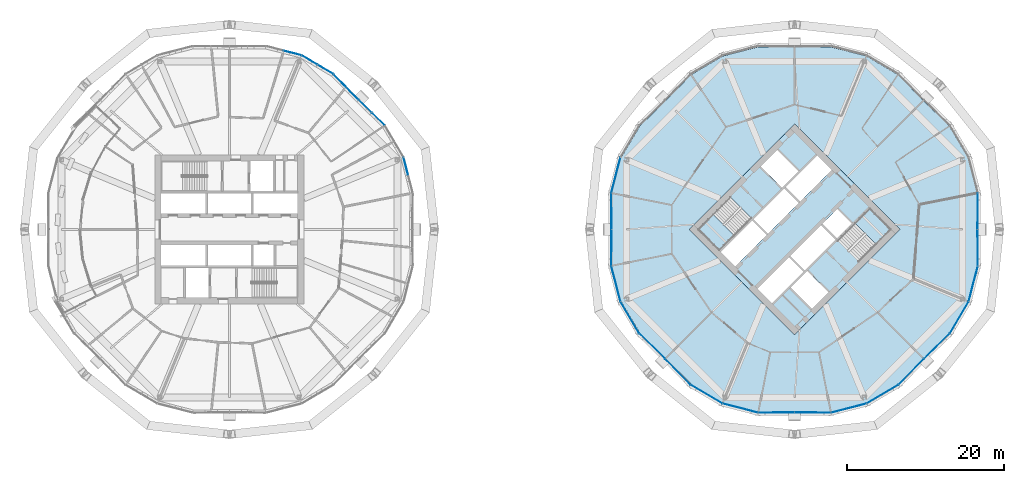
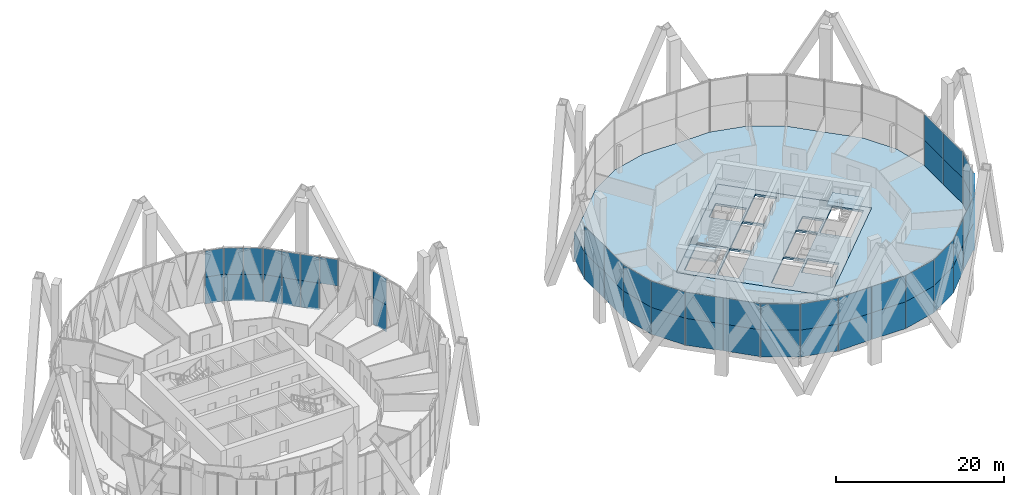
# One storey, part 19 of 30: 52 plates, 4 slabs, 10 elements without a shape of their own.
"""IFC4 building model written with IfcOpenShell, lengths in metres."""

from ifc_helpers import new_model, si_unit, direction, frame, origin, origin_2d, place, context, subcontext, project, spatial, polyline, rectangle, outline, extrude, material, layer, layer_set, type_object, element, aggregate, save


model = new_model("IFC4")

# Units and contexts
model_context = context("Model", 3, precision=1e-05, world=origin(), true_north=direction((0.0, 1.0)))
body_context = subcontext(model_context, "Body", "Model", "MODEL_VIEW")
ifc_project = project(units=[si_unit("LENGTHUNIT", "METRE"), si_unit("AREAUNIT", "SQUARE_METRE"), si_unit("VOLUMEUNIT", "CUBIC_METRE"), si_unit("PLANEANGLEUNIT", "RADIAN"), si_unit("MASSUNIT", "GRAM", prefix="KILO")], contexts=[model_context])

# Site, building, storey
site_placement = place(None, origin())
site = spatial("IfcSite", under=ifc_project, at=site_placement, CompositionType="ELEMENT")
building_placement = place(site_placement, origin())
building = spatial("IfcBuilding", under=site, at=building_placement, Name="Ogive Gate Towers", CompositionType="ELEMENT")
storey_placement = place(building_placement, frame((0.0, 0.0, 99.60009765625)))
storey = spatial("IfcBuildingStorey", under=building, at=storey_placement, Name="L23", CompositionType="ELEMENT", Elevation=99.60009765625)

# Slabs
ifc_material_1 = material(Name="Concrete C40/50", Category="concrete")
ifc_layer_1 = layer(ifc_material_1, 0.300048828125)
ifc_layer_set_1 = layer_set([ifc_layer_1], Name="Core slab C40/50 300 mm")
slab_type_1 = type_object("IfcSlabType", Name="Core slab C40/50 300 mm", PredefinedType="FLOOR", material=ifc_layer_set_1)
slab_1_placement = place(storey_placement, frame((0.0, 0.0, -0.300048828125)))
element("IfcSlab", 1, at=slab_1_placement, inside=storey, type_object=slab_type_1, Name="T2 L23 core slab", PredefinedType="FLOOR", context=body_context, shape_type="SweptSolid", body=[
    extrude(outline(polyline([(36.0, 13.43505859375), (49.43505859375, 0.0), (36.0, -13.43505859375), (22.56494140625, 0.0), (36.0, 13.43505859375)]), holes=[polyline([(30.590576171875, 1.13134765625), (26.577880859375, -2.881591796875), (28.43408203125, -4.737548828125), (32.44677734375, -0.724853515625), (30.590576171875, 1.13134765625)]), polyline([(36.548095703125, 3.37646484375), (34.69189453125, 5.232666015625), (30.767333984375, 1.30810546875), (32.62353515625, -0.548095703125), (36.548095703125, 3.37646484375)]), polyline([(36.724853515625, 3.55322265625), (40.737548828125, 7.56591796875), (38.881591796875, 9.422119140625), (34.86865234375, 5.409423828125), (36.724853515625, 3.55322265625)]), polyline([(31.262451171875, -7.56591796875), (33.118408203125, -9.422119140625), (37.13134765625, -5.409423828125), (35.275146484375, -3.55322265625), (31.262451171875, -7.56591796875)]), polyline([(39.37646484375, 0.548095703125), (35.451904296875, -3.37646484375), (37.30810546875, -5.232666015625), (41.232666015625, -1.30810546875), (39.37646484375, 0.548095703125)]), polyline([(43.283203125, 0.742431640625), (41.427001953125, 2.5986328125), (39.55322265625, 0.724853515625), (41.409423828125, -1.13134765625), (43.283203125, 0.742431640625)]), polyline([(34.408935546875, 5.30322265625), (36.4951171875, 7.389404296875), (33.790283203125, 10.093994140625), (31.704345703125, 8.008056640625), (34.408935546875, 5.30322265625)]), polyline([(35.5048828125, -7.389404296875), (38.209716796875, -10.093994140625), (40.295654296875, -8.008056640625), (37.591064453125, -5.30322265625), (35.5048828125, -7.389404296875)]), polyline([(26.40087890625, -2.70458984375), (30.512939453125, 1.406982421875), (27.80810546875, 4.11181640625), (23.6962890625, 0.0), (26.40087890625, -2.70458984375)]), polyline([(48.3037109375, 0.0), (45.59912109375, 2.70458984375), (41.487060546875, -1.406982421875), (44.19189453125, -4.11181640625), (48.3037109375, 0.0)])]), origin(), (0.0, 0.0, 1.0), 0.300048828125),
])
ifc_material_2 = material(Name="Concrete C35/45", Category="concrete")
ifc_layer_2 = layer(ifc_material_2, 0.300048828125)
ifc_layer_set_2 = layer_set([ifc_layer_2], Name="Floor slab 300")
slab_type_2 = type_object("IfcSlabType", Name="Floor slab 300", PredefinedType="FLOOR", material=ifc_layer_set_2)
slab_2_placement = place(storey_placement, frame((0.0, 0.0, -0.300048828125)))
element("IfcSlab", 2, at=slab_2_placement, inside=storey, type_object=slab_type_2, Name="T2/L23/SSL001", PredefinedType="FLOOR", context=body_context, shape_type="SweptSolid", body=[
    extrude(outline(polyline([(59.25439453125, -4.62548828125), (59.2099609375, 0.0), (59.25439453125, 4.62548828125), (58.08984375, 9.14990234375), (55.714111328125, 13.172607421875), (52.411865234375, 16.411865234375), (49.172607421875, 19.714111328125), (45.14990234375, 22.08984375), (40.62548828125, 23.25439453125), (36.0, 23.2099609375), (31.37451171875, 23.25439453125), (26.85009765625, 22.08984375), (22.827392578125, 19.714111328125), (19.588134765625, 16.411865234375), (16.285888671875, 13.172607421875), (13.91015625, 9.14990234375), (12.74560546875, 4.62548828125), (12.7900390625, 0.0), (12.74560546875, -4.62548828125), (13.91015625, -9.14990234375), (16.285888671875, -13.172607421875), (19.588134765625, -16.411865234375), (22.827392578125, -19.714111328125), (26.85009765625, -22.08984375), (31.37451171875, -23.25439453125), (36.0, -23.2099609375), (40.62548828125, -23.25439453125), (45.14990234375, -22.08984375), (49.172607421875, -19.714111328125), (52.411865234375, -16.411865234375), (55.714111328125, -13.172607421875), (58.08984375, -9.14990234375), (59.25439453125, -4.62548828125)]), holes=[polyline([(49.43505859375, 0.0), (36.0, -13.43505859375), (22.56494140625, 0.0), (36.0, 13.43505859375), (49.43505859375, 0.0)])]), origin(), (0.0, 0.0, 1.0), 0.300048828125),
])

# Stair, slab
stair_type = type_object("IfcStairType", Name="Escape stair 1840 wide", PredefinedType="HALF_TURN_STAIR", material=ifc_material_1)
stair_1_placement = place(storey_placement, origin())
stair_1 = element("IfcStair", 3, at=stair_1_placement, inside=storey, type_object=stair_type, Name="L23 Escape stair 1", PredefinedType="HALF_TURN_STAIR")
ifc_layer_3 = layer(ifc_material_1, 0.199951171875)
ifc_layer_set_3 = layer_set([ifc_layer_3], Name="Stair landing 200 mm")
slab_type_3 = type_object("IfcSlabType", Name="Stair landing 200 mm", PredefinedType="LANDING", material=ifc_layer_set_3)
slab_3_placement = place(storey_placement, frame((0.0, 0.0, 1.75)))
slab_3 = element("IfcSlab", 4, at=slab_3_placement, type_object=slab_type_3, Name="ST1 landing 1", PredefinedType="LANDING", context=body_context, shape_type="SweptSolid", body=[
    extrude(outline(polyline([(25.6044921875, 1.908203125), (23.6962890625, 0.0), (26.401123046875, -2.70458984375), (28.309326171875, -0.79638671875), (25.6044921875, 1.908203125)])), origin(), (0.0, 0.0, 1.0), 0.199951171875),
])
aggregate(stair_1, [slab_3])

stair_2_placement = place(storey_placement, origin())
stair_2 = element("IfcStair", 5, at=stair_2_placement, inside=storey, type_object=stair_type, Name="L23 Escape stair 2", PredefinedType="HALF_TURN_STAIR")
slab_4_placement = place(storey_placement, frame((0.0, 0.0, 1.75)))
slab_4 = element("IfcSlab", 6, at=slab_4_placement, type_object=slab_type_3, Name="ST2 landing 1", PredefinedType="LANDING", context=body_context, shape_type="SweptSolid", body=[
    extrude(outline(polyline([(46.3955078125, -1.908203125), (48.3037109375, 0.0), (45.598876953125, 2.70458984375), (43.690673828125, 0.79638671875), (46.3955078125, -1.908203125)])), origin(), (0.0, 0.0, 1.0), 0.199951171875),
])
aggregate(stair_2, [slab_4])

# Curtain wall, plates
ifc_material_3 = material(Name="Pale metal aluminium", Category="aluminium")
curtain_wall_type = type_object("IfcCurtainWallType", Name="Tower unitised wall, low zone", PredefinedType="NOTDEFINED", material=ifc_material_3)
curtain_wall_1_placement = place(storey_placement, origin())
curtain_wall_1 = element("IfcCurtainWall", 7, at=curtain_wall_1_placement, inside=storey, type_object=curtain_wall_type, Name="CW1 T1 ECW03", PredefinedType="NOTDEFINED")
ifc_material_4 = material(Name="Clear glass", Category="glass")
ifc_layer_4 = layer(ifc_material_4, 0.028076171875)
ifc_layer_set_4 = layer_set([ifc_layer_4], Name="Tower unitised wall, low zone glass panel")
plate_type = type_object("IfcPlateType", Name="Tower unitised wall, low zone glass panel", PredefinedType="CURTAIN_PANEL", material=ifc_layer_set_4)
plate_1_placement = place(storey_placement, frame((-18.689697265625, 15.670654296875, -0.300048828125), z_axis=(0.0, 0.0, 1.0), x_axis=(0.713849613797, -0.700299028189, 0.0)))
plate_1 = element("IfcPlate", 8, at=plate_1_placement, type_object=plate_type, Name="CW1 glass panel", PredefinedType="CURTAIN_PANEL", context=body_context, shape_type="SweptSolid", body=[
    extrude(rectangle(XDim=2.264892578125, YDim=0.028076171875, at=origin_2d()), origin(), (0.0, 0.0, 1.0), 3.89990234375),
])
plate_2_placement = place(storey_placement, frame((-18.689697265625, 15.670654296875, 3.60009765625), z_axis=(0.0, 0.0, 1.0), x_axis=(0.713849613797, -0.700299028189, 0.0)))
plate_2 = element("IfcPlate", 9, at=plate_2_placement, type_object=plate_type, Name="CW1 glass panel", PredefinedType="CURTAIN_PANEL", context=body_context, shape_type="SweptSolid", body=[
    extrude(rectangle(XDim=2.264892578125, YDim=0.028076171875, at=origin_2d()), origin(), (0.0, 0.0, 1.0), 3.803955078125),
])
plate_3_placement = place(storey_placement, frame((-17.035400390625, 14.048095703125, 3.60009765625), z_axis=(0.0, 0.0, 1.0), x_axis=(0.713861836212, -0.700286569056, 0.0)))
plate_3 = element("IfcPlate", 10, at=plate_3_placement, type_object=plate_type, Name="CW1 glass panel", PredefinedType="CURTAIN_PANEL", context=body_context, shape_type="SweptSolid", body=[
    extrude(rectangle(XDim=2.26123046875, YDim=0.028076171875, at=origin_2d()), origin(), (0.0, 0.0, 1.0), 3.803955078125),
])
plate_4_placement = place(storey_placement, frame((-13.5234375, 8.049072265625, -0.300048828125), z_axis=(0.0, 0.0, 1.0), x_axis=(0.249247709738, -0.968439765391, 0.0)))
plate_4 = element("IfcPlate", 11, at=plate_4_placement, type_object=plate_type, Name="CW1 glass panel", PredefinedType="CURTAIN_PANEL", context=body_context, shape_type="SweptSolid", body=[
    extrude(rectangle(XDim=2.29150390625, YDim=0.028076171875, at=origin_2d()), origin(), (0.0, 0.0, 1.0), 3.89990234375),
])
plate_5_placement = place(storey_placement, frame((-13.5234375, 8.049072265625, 3.60009765625), z_axis=(0.0, 0.0, 1.0), x_axis=(0.249247709738, -0.968439765391, 0.0)))
plate_5 = element("IfcPlate", 12, at=plate_5_placement, type_object=plate_type, Name="CW1 glass panel", PredefinedType="CURTAIN_PANEL", context=body_context, shape_type="SweptSolid", body=[
    extrude(rectangle(XDim=2.29150390625, YDim=0.028076171875, at=origin_2d()), origin(), (0.0, 0.0, 1.0), 3.803955078125),
])
aggregate(curtain_wall_1, [plate_1, plate_2, plate_3, plate_4, plate_5])

curtain_wall_2_placement = place(storey_placement, origin())
curtain_wall_2 = element("IfcCurtainWall", 13, at=curtain_wall_2_placement, inside=storey, type_object=curtain_wall_type, Name="CW1 T1 ECW04", PredefinedType="NOTDEFINED")
plate_6_placement = place(storey_placement, frame((-27.950927734375, 22.4765625, -0.300048828125), z_axis=(0.0, 0.0, 1.0), x_axis=(0.968439765391, -0.249247709738, 0.0)))
plate_6 = element("IfcPlate", 14, at=plate_6_placement, type_object=plate_type, Name="CW1 glass panel", PredefinedType="CURTAIN_PANEL", context=body_context, shape_type="SweptSolid", body=[
    extrude(rectangle(XDim=2.29150390625, YDim=0.028076171875, at=origin_2d()), origin(), (0.0, 0.0, 1.0), 3.89990234375),
])
plate_7_placement = place(storey_placement, frame((-27.950927734375, 22.4765625, 3.60009765625), z_axis=(0.0, 0.0, 1.0), x_axis=(0.968439765391, -0.249247709738, 0.0)))
plate_7 = element("IfcPlate", 15, at=plate_7_placement, type_object=plate_type, Name="CW1 glass panel", PredefinedType="CURTAIN_PANEL", context=body_context, shape_type="SweptSolid", body=[
    extrude(rectangle(XDim=2.29150390625, YDim=0.028076171875, at=origin_2d()), origin(), (0.0, 0.0, 1.0), 3.803955078125),
])
plate_8_placement = place(storey_placement, frame((-25.798095703125, 21.584716796875, -0.300048828125), z_axis=(0.0, 0.0, 1.0), x_axis=(0.86103507103, -0.508545579527, 0.0)))
plate_8 = element("IfcPlate", 16, at=plate_8_placement, type_object=plate_type, Name="CW1 glass panel", PredefinedType="CURTAIN_PANEL", context=body_context, shape_type="SweptSolid", body=[
    extrude(rectangle(XDim=2.29150390625, YDim=0.028076171875, at=origin_2d()), origin(), (0.0, 0.0, 1.0), 3.89990234375),
])
plate_9_placement = place(storey_placement, frame((-25.798095703125, 21.584716796875, 3.60009765625), z_axis=(0.0, 0.0, 1.0), x_axis=(0.86103507103, -0.508545579527, 0.0)))
plate_9 = element("IfcPlate", 17, at=plate_9_placement, type_object=plate_type, Name="CW1 glass panel", PredefinedType="CURTAIN_PANEL", context=body_context, shape_type="SweptSolid", body=[
    extrude(rectangle(XDim=2.29150390625, YDim=0.028076171875, at=origin_2d()), origin(), (0.0, 0.0, 1.0), 3.803955078125),
])
plate_10_placement = place(storey_placement, frame((-23.778564453125, 20.39208984375, -0.300048828125), z_axis=(0.0, 0.0, 1.0), x_axis=(0.861043946693, -0.508530551553, 0.0)))
plate_10 = element("IfcPlate", 18, at=plate_10_placement, type_object=plate_type, Name="CW1 glass panel", PredefinedType="CURTAIN_PANEL", context=body_context, shape_type="SweptSolid", body=[
    extrude(rectangle(XDim=2.29150390625, YDim=0.028076171875, at=origin_2d()), origin(), (0.0, 0.0, 1.0), 3.89990234375),
])
plate_11_placement = place(storey_placement, frame((-23.778564453125, 20.39208984375, 3.60009765625), z_axis=(0.0, 0.0, 1.0), x_axis=(0.861043946693, -0.508530551553, 0.0)))
plate_11 = element("IfcPlate", 19, at=plate_11_placement, type_object=plate_type, Name="CW1 glass panel", PredefinedType="CURTAIN_PANEL", context=body_context, shape_type="SweptSolid", body=[
    extrude(rectangle(XDim=2.29150390625, YDim=0.028076171875, at=origin_2d()), origin(), (0.0, 0.0, 1.0), 3.803955078125),
])
plate_12_placement = place(storey_placement, frame((-21.951904296875, 18.964599609375, -0.300048828125), z_axis=(0.0, 0.0, 1.0), x_axis=(0.700286569056, -0.713861836212, 0.0)))
plate_12 = element("IfcPlate", 20, at=plate_12_placement, type_object=plate_type, Name="CW1 glass panel", PredefinedType="CURTAIN_PANEL", context=body_context, shape_type="SweptSolid", body=[
    extrude(rectangle(XDim=2.26123046875, YDim=0.028076171875, at=origin_2d()), origin(), (0.0, 0.0, 1.0), 3.89990234375),
])
plate_13_placement = place(storey_placement, frame((-21.951904296875, 18.964599609375, 3.60009765625), z_axis=(0.0, 0.0, 1.0), x_axis=(0.700286569056, -0.713861836212, 0.0)))
plate_13 = element("IfcPlate", 21, at=plate_13_placement, type_object=plate_type, Name="CW1 glass panel", PredefinedType="CURTAIN_PANEL", context=body_context, shape_type="SweptSolid", body=[
    extrude(rectangle(XDim=2.26123046875, YDim=0.028076171875, at=origin_2d()), origin(), (0.0, 0.0, 1.0), 3.803955078125),
])
plate_14_placement = place(storey_placement, frame((-20.329345703125, 17.310302734375, -0.300048828125), z_axis=(0.0, 0.0, 1.0), x_axis=(0.700299028189, -0.713849613797, 0.0)))
plate_14 = element("IfcPlate", 22, at=plate_14_placement, type_object=plate_type, Name="CW1 glass panel", PredefinedType="CURTAIN_PANEL", context=body_context, shape_type="SweptSolid", body=[
    extrude(rectangle(XDim=2.264892578125, YDim=0.028076171875, at=origin_2d()), origin(), (0.0, 0.0, 1.0), 3.89990234375),
])
plate_15_placement = place(storey_placement, frame((-20.329345703125, 17.310302734375, 3.60009765625), z_axis=(0.0, 0.0, 1.0), x_axis=(0.700299028189, -0.713849613797, 0.0)))
plate_15 = element("IfcPlate", 23, at=plate_15_placement, type_object=plate_type, Name="CW1 glass panel", PredefinedType="CURTAIN_PANEL", context=body_context, shape_type="SweptSolid", body=[
    extrude(rectangle(XDim=2.264892578125, YDim=0.028076171875, at=origin_2d()), origin(), (0.0, 0.0, 1.0), 3.803955078125),
])
aggregate(curtain_wall_2, [plate_6, plate_7, plate_8, plate_9, plate_10, plate_11, plate_12, plate_13, plate_14, plate_15])

curtain_wall_3_placement = place(storey_placement, origin())
curtain_wall_3 = element("IfcCurtainWall", 24, at=curtain_wall_3_placement, inside=storey, type_object=curtain_wall_type, Name="CW1 T2 ECW01", PredefinedType="NOTDEFINED")
plate_16_placement = place(storey_placement, frame((59.332275390625, 2.31689453125, -0.300048828125), z_axis=(0.0, 0.0, 1.0), x_axis=(0.009599163462, 0.999953926969, 0.0)))
plate_16 = element("IfcPlate", 25, at=plate_16_placement, type_object=plate_type, Name="CW1 glass panel", PredefinedType="CURTAIN_PANEL", context=body_context, shape_type="SweptSolid", body=[
    extrude(rectangle(XDim=4.580078125, YDim=0.028076171875, at=origin_2d()), origin(), (0.0, 0.0, 1.0), 3.89990234375),
])
plate_17_placement = place(storey_placement, frame((59.332275390625, 2.31689453125, 3.60009765625), z_axis=(0.0, 0.0, 1.0), x_axis=(0.009599163462, 0.999953926969, 0.0)))
plate_17 = element("IfcPlate", 26, at=plate_17_placement, type_object=plate_type, Name="CW1 glass panel", PredefinedType="CURTAIN_PANEL", context=body_context, shape_type="SweptSolid", body=[
    extrude(rectangle(XDim=4.580078125, YDim=0.028076171875, at=origin_2d()), origin(), (0.0, 0.0, 1.0), 3.803955078125),
])
aggregate(curtain_wall_3, [plate_16, plate_17])

curtain_wall_4_placement = place(storey_placement, origin())
curtain_wall_4 = element("IfcCurtainWall", 27, at=curtain_wall_4_placement, inside=storey, type_object=curtain_wall_type, Name="CW1 T2 ECW04", PredefinedType="NOTDEFINED")
plate_18_placement = place(storey_placement, frame((13.231201171875, 6.9130859375, -0.300048828125), z_axis=(0.0, 0.0, 1.0), x_axis=(-0.249247709738, -0.968439765391, 0.0)))
plate_18 = element("IfcPlate", 28, at=plate_18_placement, type_object=plate_type, Name="CW1 glass panel", PredefinedType="CURTAIN_PANEL", context=body_context, shape_type="SweptSolid", body=[
    extrude(rectangle(XDim=4.63720703125, YDim=0.028076171875, at=origin_2d()), origin(), (0.0, 0.0, 1.0), 3.89990234375),
])
plate_19_placement = place(storey_placement, frame((12.667724609375, 2.31689453125, -0.300048828125), z_axis=(0.0, 0.0, 1.0), x_axis=(0.009599163462, -0.999953926969, 0.0)))
plate_19 = element("IfcPlate", 29, at=plate_19_placement, type_object=plate_type, Name="CW1 glass panel", PredefinedType="CURTAIN_PANEL", context=body_context, shape_type="SweptSolid", body=[
    extrude(rectangle(XDim=4.580078125, YDim=0.028076171875, at=origin_2d()), origin(), (0.0, 0.0, 1.0), 3.89990234375),
])
plate_20_placement = place(storey_placement, frame((12.667724609375, 2.31689453125, 3.60009765625), z_axis=(0.0, 0.0, 1.0), x_axis=(0.009599163462, -0.999953926969, 0.0)))
plate_20 = element("IfcPlate", 30, at=plate_20_placement, type_object=plate_type, Name="CW1 glass panel", PredefinedType="CURTAIN_PANEL", context=body_context, shape_type="SweptSolid", body=[
    extrude(rectangle(XDim=4.580078125, YDim=0.028076171875, at=origin_2d()), origin(), (0.0, 0.0, 1.0), 3.803955078125),
])
aggregate(curtain_wall_4, [plate_18, plate_19, plate_20])

curtain_wall_5_placement = place(storey_placement, origin())
curtain_wall_5 = element("IfcCurtainWall", 31, at=curtain_wall_5_placement, inside=storey, type_object=curtain_wall_type, Name="CW1 T2 ECW05", PredefinedType="NOTDEFINED")
plate_21_placement = place(storey_placement, frame((12.667724609375, -2.31689453125, -0.300048828125), z_axis=(0.0, 0.0, 1.0), x_axis=(-0.009599163462, -0.999953926969, 0.0)))
plate_21 = element("IfcPlate", 32, at=plate_21_placement, type_object=plate_type, Name="CW1 glass panel", PredefinedType="CURTAIN_PANEL", context=body_context, shape_type="SweptSolid", body=[
    extrude(rectangle(XDim=4.580078125, YDim=0.028076171875, at=origin_2d()), origin(), (0.0, 0.0, 1.0), 3.89990234375),
])
plate_22_placement = place(storey_placement, frame((12.667724609375, -2.31689453125, 3.60009765625), z_axis=(0.0, 0.0, 1.0), x_axis=(-0.009599163462, -0.999953926969, 0.0)))
plate_22 = element("IfcPlate", 33, at=plate_22_placement, type_object=plate_type, Name="CW1 glass panel", PredefinedType="CURTAIN_PANEL", context=body_context, shape_type="SweptSolid", body=[
    extrude(rectangle(XDim=4.580078125, YDim=0.028076171875, at=origin_2d()), origin(), (0.0, 0.0, 1.0), 3.803955078125),
])
plate_23_placement = place(storey_placement, frame((13.231201171875, -6.9130859375, -0.300048828125), z_axis=(0.0, 0.0, 1.0), x_axis=(0.249247709738, -0.968439765391, 0.0)))
plate_23 = element("IfcPlate", 34, at=plate_23_placement, type_object=plate_type, Name="CW1 glass panel", PredefinedType="CURTAIN_PANEL", context=body_context, shape_type="SweptSolid", body=[
    extrude(rectangle(XDim=4.63720703125, YDim=0.028076171875, at=origin_2d()), origin(), (0.0, 0.0, 1.0), 3.89990234375),
])
plate_24_placement = place(storey_placement, frame((13.231201171875, -6.9130859375, 3.60009765625), z_axis=(0.0, 0.0, 1.0), x_axis=(0.249247709738, -0.968439765391, 0.0)))
plate_24 = element("IfcPlate", 35, at=plate_24_placement, type_object=plate_type, Name="CW1 glass panel", PredefinedType="CURTAIN_PANEL", context=body_context, shape_type="SweptSolid", body=[
    extrude(rectangle(XDim=4.63720703125, YDim=0.028076171875, at=origin_2d()), origin(), (0.0, 0.0, 1.0), 3.803955078125),
])
plate_25_placement = place(storey_placement, frame((15.01171875, -11.211669921875, -0.300048828125), z_axis=(0.0, 0.0, 1.0), x_axis=(0.508545579527, -0.86103507103, 0.0)))
plate_25 = element("IfcPlate", 36, at=plate_25_placement, type_object=plate_type, Name="CW1 glass panel", PredefinedType="CURTAIN_PANEL", context=body_context, shape_type="SweptSolid", body=[
    extrude(rectangle(XDim=4.63720703125, YDim=0.028076171875, at=origin_2d()), origin(), (0.0, 0.0, 1.0), 3.89990234375),
])
plate_26_placement = place(storey_placement, frame((15.01171875, -11.211669921875, 3.60009765625), z_axis=(0.0, 0.0, 1.0), x_axis=(0.508545579527, -0.86103507103, 0.0)))
plate_26 = element("IfcPlate", 37, at=plate_26_placement, type_object=plate_type, Name="CW1 glass panel", PredefinedType="CURTAIN_PANEL", context=body_context, shape_type="SweptSolid", body=[
    extrude(rectangle(XDim=4.63720703125, YDim=0.028076171875, at=origin_2d()), origin(), (0.0, 0.0, 1.0), 3.803955078125),
])
plate_27_placement = place(storey_placement, frame((17.86328125, -14.860107421875, -0.300048828125), z_axis=(0.0, 0.0, 1.0), x_axis=(0.713849613797, -0.700299028189, 0.0)))
plate_27 = element("IfcPlate", 38, at=plate_27_placement, type_object=plate_type, Name="CW1 glass panel", PredefinedType="CURTAIN_PANEL", context=body_context, shape_type="SweptSolid", body=[
    extrude(rectangle(XDim=4.580078125, YDim=0.028076171875, at=origin_2d()), origin(), (0.0, 0.0, 1.0), 3.89990234375),
])
plate_28_placement = place(storey_placement, frame((17.86328125, -14.860107421875, 3.60009765625), z_axis=(0.0, 0.0, 1.0), x_axis=(0.713849613797, -0.700299028189, 0.0)))
plate_28 = element("IfcPlate", 39, at=plate_28_placement, type_object=plate_type, Name="CW1 glass panel", PredefinedType="CURTAIN_PANEL", context=body_context, shape_type="SweptSolid", body=[
    extrude(rectangle(XDim=4.580078125, YDim=0.028076171875, at=origin_2d()), origin(), (0.0, 0.0, 1.0), 3.803955078125),
])
aggregate(curtain_wall_5, [plate_21, plate_22, plate_23, plate_24, plate_25, plate_26, plate_27, plate_28])

curtain_wall_6_placement = place(storey_placement, origin())
curtain_wall_6 = element("IfcCurtainWall", 40, at=curtain_wall_6_placement, inside=storey, type_object=curtain_wall_type, Name="CW1 T2 ECW06", PredefinedType="NOTDEFINED")
plate_29_placement = place(storey_placement, frame((21.139892578125, -18.13671875, -0.300048828125), z_axis=(0.0, 0.0, 1.0), x_axis=(0.700299028189, -0.713849613797, 0.0)))
plate_29 = element("IfcPlate", 41, at=plate_29_placement, type_object=plate_type, Name="CW1 glass panel", PredefinedType="CURTAIN_PANEL", context=body_context, shape_type="SweptSolid", body=[
    extrude(rectangle(XDim=4.580078125, YDim=0.028076171875, at=origin_2d()), origin(), (0.0, 0.0, 1.0), 3.89990234375),
])
plate_30_placement = place(storey_placement, frame((21.139892578125, -18.13671875, 3.60009765625), z_axis=(0.0, 0.0, 1.0), x_axis=(0.700299028189, -0.713849613797, 0.0)))
plate_30 = element("IfcPlate", 42, at=plate_30_placement, type_object=plate_type, Name="CW1 glass panel", PredefinedType="CURTAIN_PANEL", context=body_context, shape_type="SweptSolid", body=[
    extrude(rectangle(XDim=4.580078125, YDim=0.028076171875, at=origin_2d()), origin(), (0.0, 0.0, 1.0), 3.803955078125),
])
plate_31_placement = place(storey_placement, frame((24.788330078125, -20.98828125, -0.300048828125), z_axis=(0.0, 0.0, 1.0), x_axis=(0.86103507103, -0.508545579527, 0.0)))
plate_31 = element("IfcPlate", 43, at=plate_31_placement, type_object=plate_type, Name="CW1 glass panel", PredefinedType="CURTAIN_PANEL", context=body_context, shape_type="SweptSolid", body=[
    extrude(rectangle(XDim=4.63720703125, YDim=0.028076171875, at=origin_2d()), origin(), (0.0, 0.0, 1.0), 3.89990234375),
])
plate_32_placement = place(storey_placement, frame((24.788330078125, -20.98828125, 3.60009765625), z_axis=(0.0, 0.0, 1.0), x_axis=(0.86103507103, -0.508545579527, 0.0)))
plate_32 = element("IfcPlate", 44, at=plate_32_placement, type_object=plate_type, Name="CW1 glass panel", PredefinedType="CURTAIN_PANEL", context=body_context, shape_type="SweptSolid", body=[
    extrude(rectangle(XDim=4.63720703125, YDim=0.028076171875, at=origin_2d()), origin(), (0.0, 0.0, 1.0), 3.803955078125),
])
plate_33_placement = place(storey_placement, frame((29.0869140625, -22.768798828125, -0.300048828125), z_axis=(0.0, 0.0, 1.0), x_axis=(0.968439765391, -0.249247709738, 0.0)))
plate_33 = element("IfcPlate", 45, at=plate_33_placement, type_object=plate_type, Name="CW1 glass panel", PredefinedType="CURTAIN_PANEL", context=body_context, shape_type="SweptSolid", body=[
    extrude(rectangle(XDim=4.63720703125, YDim=0.028076171875, at=origin_2d()), origin(), (0.0, 0.0, 1.0), 3.89990234375),
])
plate_34_placement = place(storey_placement, frame((29.0869140625, -22.768798828125, 3.60009765625), z_axis=(0.0, 0.0, 1.0), x_axis=(0.968439765391, -0.249247709738, 0.0)))
plate_34 = element("IfcPlate", 46, at=plate_34_placement, type_object=plate_type, Name="CW1 glass panel", PredefinedType="CURTAIN_PANEL", context=body_context, shape_type="SweptSolid", body=[
    extrude(rectangle(XDim=4.63720703125, YDim=0.028076171875, at=origin_2d()), origin(), (0.0, 0.0, 1.0), 3.803955078125),
])
plate_35_placement = place(storey_placement, frame((33.68310546875, -23.332275390625, -0.300048828125), z_axis=(0.0, 0.0, 1.0), x_axis=(0.999953926969, 0.009599163462, 0.0)))
plate_35 = element("IfcPlate", 47, at=plate_35_placement, type_object=plate_type, Name="CW1 glass panel", PredefinedType="CURTAIN_PANEL", context=body_context, shape_type="SweptSolid", body=[
    extrude(rectangle(XDim=4.580078125, YDim=0.028076171875, at=origin_2d()), origin(), (0.0, 0.0, 1.0), 3.89990234375),
])
plate_36_placement = place(storey_placement, frame((33.68310546875, -23.332275390625, 3.60009765625), z_axis=(0.0, 0.0, 1.0), x_axis=(0.999953926969, 0.009599163462, 0.0)))
plate_36 = element("IfcPlate", 48, at=plate_36_placement, type_object=plate_type, Name="CW1 glass panel", PredefinedType="CURTAIN_PANEL", context=body_context, shape_type="SweptSolid", body=[
    extrude(rectangle(XDim=4.580078125, YDim=0.028076171875, at=origin_2d()), origin(), (0.0, 0.0, 1.0), 3.803955078125),
])
aggregate(curtain_wall_6, [plate_29, plate_30, plate_31, plate_32, plate_33, plate_34, plate_35, plate_36])

curtain_wall_7_placement = place(storey_placement, origin())
curtain_wall_7 = element("IfcCurtainWall", 49, at=curtain_wall_7_placement, inside=storey, type_object=curtain_wall_type, Name="CW1 T2 ECW07", PredefinedType="NOTDEFINED")
plate_37_placement = place(storey_placement, frame((38.31689453125, -23.332275390625, -0.300048828125), z_axis=(0.0, 0.0, 1.0), x_axis=(0.999953926969, -0.009599163462, 0.0)))
plate_37 = element("IfcPlate", 50, at=plate_37_placement, type_object=plate_type, Name="CW1 glass panel", PredefinedType="CURTAIN_PANEL", context=body_context, shape_type="SweptSolid", body=[
    extrude(rectangle(XDim=4.580078125, YDim=0.028076171875, at=origin_2d()), origin(), (0.0, 0.0, 1.0), 3.89990234375),
])
plate_38_placement = place(storey_placement, frame((38.31689453125, -23.332275390625, 3.60009765625), z_axis=(0.0, 0.0, 1.0), x_axis=(0.999953926969, -0.009599163462, 0.0)))
plate_38 = element("IfcPlate", 51, at=plate_38_placement, type_object=plate_type, Name="CW1 glass panel", PredefinedType="CURTAIN_PANEL", context=body_context, shape_type="SweptSolid", body=[
    extrude(rectangle(XDim=4.580078125, YDim=0.028076171875, at=origin_2d()), origin(), (0.0, 0.0, 1.0), 3.803955078125),
])
plate_39_placement = place(storey_placement, frame((42.9130859375, -22.768798828125, -0.300048828125), z_axis=(0.0, 0.0, 1.0), x_axis=(0.968439765391, 0.249247709738, 0.0)))
plate_39 = element("IfcPlate", 52, at=plate_39_placement, type_object=plate_type, Name="CW1 glass panel", PredefinedType="CURTAIN_PANEL", context=body_context, shape_type="SweptSolid", body=[
    extrude(rectangle(XDim=4.63720703125, YDim=0.028076171875, at=origin_2d()), origin(), (0.0, 0.0, 1.0), 3.89990234375),
])
plate_40_placement = place(storey_placement, frame((42.9130859375, -22.768798828125, 3.60009765625), z_axis=(0.0, 0.0, 1.0), x_axis=(0.968439765391, 0.249247709738, 0.0)))
plate_40 = element("IfcPlate", 53, at=plate_40_placement, type_object=plate_type, Name="CW1 glass panel", PredefinedType="CURTAIN_PANEL", context=body_context, shape_type="SweptSolid", body=[
    extrude(rectangle(XDim=4.63720703125, YDim=0.028076171875, at=origin_2d()), origin(), (0.0, 0.0, 1.0), 3.803955078125),
])
plate_41_placement = place(storey_placement, frame((47.211669921875, -20.98828125, -0.300048828125), z_axis=(0.0, 0.0, 1.0), x_axis=(0.86103507103, 0.508545579527, 0.0)))
plate_41 = element("IfcPlate", 54, at=plate_41_placement, type_object=plate_type, Name="CW1 glass panel", PredefinedType="CURTAIN_PANEL", context=body_context, shape_type="SweptSolid", body=[
    extrude(rectangle(XDim=4.63720703125, YDim=0.028076171875, at=origin_2d()), origin(), (0.0, 0.0, 1.0), 3.89990234375),
])
plate_42_placement = place(storey_placement, frame((47.211669921875, -20.98828125, 3.60009765625), z_axis=(0.0, 0.0, 1.0), x_axis=(0.86103507103, 0.508545579527, 0.0)))
plate_42 = element("IfcPlate", 55, at=plate_42_placement, type_object=plate_type, Name="CW1 glass panel", PredefinedType="CURTAIN_PANEL", context=body_context, shape_type="SweptSolid", body=[
    extrude(rectangle(XDim=4.63720703125, YDim=0.028076171875, at=origin_2d()), origin(), (0.0, 0.0, 1.0), 3.803955078125),
])
plate_43_placement = place(storey_placement, frame((50.860107421875, -18.13671875, -0.300048828125), z_axis=(0.0, 0.0, 1.0), x_axis=(0.700299028189, 0.713849613797, 0.0)))
plate_43 = element("IfcPlate", 56, at=plate_43_placement, type_object=plate_type, Name="CW1 glass panel", PredefinedType="CURTAIN_PANEL", context=body_context, shape_type="SweptSolid", body=[
    extrude(rectangle(XDim=4.580078125, YDim=0.028076171875, at=origin_2d()), origin(), (0.0, 0.0, 1.0), 3.89990234375),
])
plate_44_placement = place(storey_placement, frame((50.860107421875, -18.13671875, 3.60009765625), z_axis=(0.0, 0.0, 1.0), x_axis=(0.700299028189, 0.713849613797, 0.0)))
plate_44 = element("IfcPlate", 57, at=plate_44_placement, type_object=plate_type, Name="CW1 glass panel", PredefinedType="CURTAIN_PANEL", context=body_context, shape_type="SweptSolid", body=[
    extrude(rectangle(XDim=4.580078125, YDim=0.028076171875, at=origin_2d()), origin(), (0.0, 0.0, 1.0), 3.803955078125),
])
aggregate(curtain_wall_7, [plate_37, plate_38, plate_39, plate_40, plate_41, plate_42, plate_43, plate_44])

curtain_wall_8_placement = place(storey_placement, origin())
curtain_wall_8 = element("IfcCurtainWall", 58, at=curtain_wall_8_placement, inside=storey, type_object=curtain_wall_type, Name="CW1 T2 ECW08", PredefinedType="NOTDEFINED")
plate_45_placement = place(storey_placement, frame((54.13671875, -14.860107421875, -0.300048828125), z_axis=(0.0, 0.0, 1.0), x_axis=(0.713849613797, 0.700299028189, 0.0)))
plate_45 = element("IfcPlate", 59, at=plate_45_placement, type_object=plate_type, Name="CW1 glass panel", PredefinedType="CURTAIN_PANEL", context=body_context, shape_type="SweptSolid", body=[
    extrude(rectangle(XDim=4.580078125, YDim=0.028076171875, at=origin_2d()), origin(), (0.0, 0.0, 1.0), 3.89990234375),
])
plate_46_placement = place(storey_placement, frame((54.13671875, -14.860107421875, 3.60009765625), z_axis=(0.0, 0.0, 1.0), x_axis=(0.713849613797, 0.700299028189, 0.0)))
plate_46 = element("IfcPlate", 60, at=plate_46_placement, type_object=plate_type, Name="CW1 glass panel", PredefinedType="CURTAIN_PANEL", context=body_context, shape_type="SweptSolid", body=[
    extrude(rectangle(XDim=4.580078125, YDim=0.028076171875, at=origin_2d()), origin(), (0.0, 0.0, 1.0), 3.803955078125),
])
plate_47_placement = place(storey_placement, frame((56.98828125, -11.211669921875, -0.300048828125), z_axis=(0.0, 0.0, 1.0), x_axis=(0.508545579527, 0.86103507103, 0.0)))
plate_47 = element("IfcPlate", 61, at=plate_47_placement, type_object=plate_type, Name="CW1 glass panel", PredefinedType="CURTAIN_PANEL", context=body_context, shape_type="SweptSolid", body=[
    extrude(rectangle(XDim=4.63720703125, YDim=0.028076171875, at=origin_2d()), origin(), (0.0, 0.0, 1.0), 3.89990234375),
])
plate_48_placement = place(storey_placement, frame((56.98828125, -11.211669921875, 3.60009765625), z_axis=(0.0, 0.0, 1.0), x_axis=(0.508545579527, 0.86103507103, 0.0)))
plate_48 = element("IfcPlate", 62, at=plate_48_placement, type_object=plate_type, Name="CW1 glass panel", PredefinedType="CURTAIN_PANEL", context=body_context, shape_type="SweptSolid", body=[
    extrude(rectangle(XDim=4.63720703125, YDim=0.028076171875, at=origin_2d()), origin(), (0.0, 0.0, 1.0), 3.803955078125),
])
plate_49_placement = place(storey_placement, frame((58.768798828125, -6.9130859375, -0.300048828125), z_axis=(0.0, 0.0, 1.0), x_axis=(0.249247709738, 0.968439765391, 0.0)))
plate_49 = element("IfcPlate", 63, at=plate_49_placement, type_object=plate_type, Name="CW1 glass panel", PredefinedType="CURTAIN_PANEL", context=body_context, shape_type="SweptSolid", body=[
    extrude(rectangle(XDim=4.63720703125, YDim=0.028076171875, at=origin_2d()), origin(), (0.0, 0.0, 1.0), 3.89990234375),
])
plate_50_placement = place(storey_placement, frame((58.768798828125, -6.9130859375, 3.60009765625), z_axis=(0.0, 0.0, 1.0), x_axis=(0.249247709738, 0.968439765391, 0.0)))
plate_50 = element("IfcPlate", 64, at=plate_50_placement, type_object=plate_type, Name="CW1 glass panel", PredefinedType="CURTAIN_PANEL", context=body_context, shape_type="SweptSolid", body=[
    extrude(rectangle(XDim=4.63720703125, YDim=0.028076171875, at=origin_2d()), origin(), (0.0, 0.0, 1.0), 3.803955078125),
])
plate_51_placement = place(storey_placement, frame((59.332275390625, -2.31689453125, -0.300048828125), z_axis=(0.0, 0.0, 1.0), x_axis=(-0.009599163462, 0.999953926969, 0.0)))
plate_51 = element("IfcPlate", 65, at=plate_51_placement, type_object=plate_type, Name="CW1 glass panel", PredefinedType="CURTAIN_PANEL", context=body_context, shape_type="SweptSolid", body=[
    extrude(rectangle(XDim=4.580078125, YDim=0.028076171875, at=origin_2d()), origin(), (0.0, 0.0, 1.0), 3.89990234375),
])
plate_52_placement = place(storey_placement, frame((59.332275390625, -2.31689453125, 3.60009765625), z_axis=(0.0, 0.0, 1.0), x_axis=(-0.009599163462, 0.999953926969, 0.0)))
plate_52 = element("IfcPlate", 66, at=plate_52_placement, type_object=plate_type, Name="CW1 glass panel", PredefinedType="CURTAIN_PANEL", context=body_context, shape_type="SweptSolid", body=[
    extrude(rectangle(XDim=4.580078125, YDim=0.028076171875, at=origin_2d()), origin(), (0.0, 0.0, 1.0), 3.803955078125),
])
aggregate(curtain_wall_8, [plate_45, plate_46, plate_47, plate_48, plate_49, plate_50, plate_51, plate_52])

save(model, "model.ifc")
